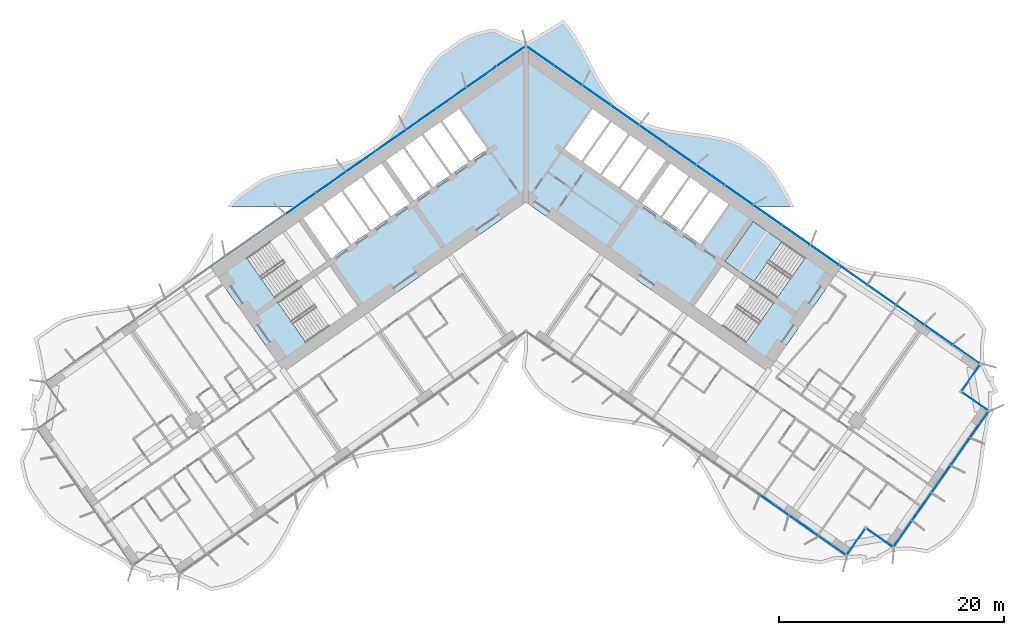
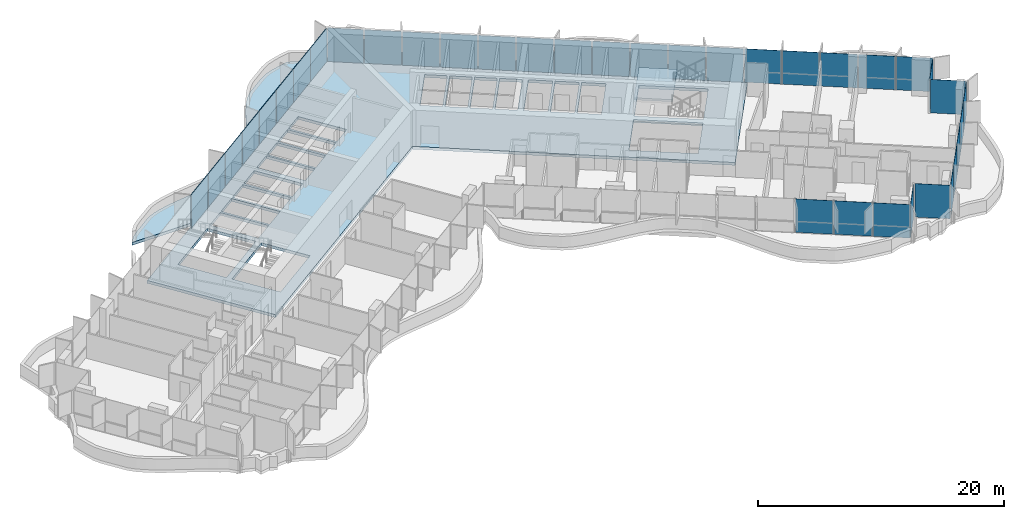
# One storey, part 11 of 24: 36 plates, 3 slabs, 3 elements without a shape of their own.
"""IFC4 building model written with IfcOpenShell, lengths in metres."""

import ifcopenshell
import ifcopenshell.guid

model = None  # the IFC model being written
_history = None  # IfcOwnerHistory: only IFC2X3 demands one
_inside = {}  # id of a spatial element -> (the spatial element, [elements in it])
_under = {}  # id of a project, library or spatial element -> (it, [spatial elements below it])
_declared = {}  # id of a project -> (the project, [libraries it declares])
_typed = {}  # id of a type object -> (the type object, [elements of that type])
_made_of = {}  # id of a material, layer set ... -> (it, [elements and type objects made of it])


def new_model(schema):
    """Start an empty IFC model of exactly this schema.

    Asked for "IFC4X3", IfcOpenShell would pick the latest addendum, in which some entities
    have other attributes; the version numbers below select the first issue.
    IFC2X3 requires an IfcOwnerHistory on every rooted entity: one is made here for all.
    """
    global model, _history
    if schema == "IFC4X3":
        model = ifcopenshell.file(schema_version=(4, 3, 0, 0))
    else:
        model = ifcopenshell.file(schema=schema)
    _inside.clear()
    _under.clear()
    _declared.clear()
    _typed.clear()
    _made_of.clear()
    _history = None
    if model.schema == "IFC2X3":
        org = make("IfcOrganization", Name="unknown")
        user = make(
            "IfcPersonAndOrganization",
            ThePerson=make("IfcPerson", FamilyName="unknown"),
            TheOrganization=org,
        )
        app = make(
            "IfcApplication",
            ApplicationDeveloper=org,
            Version="unknown",
            ApplicationFullName="unknown",
            ApplicationIdentifier="unknown",
        )
        _history = make(
            "IfcOwnerHistory",
            OwningUser=user,
            OwningApplication=app,
            ChangeAction="ADDED",
            CreationDate=0,
        )
    return model


def make(cls, **values):
    """One entity of the class cls with the attributes given. An attribute that is None is left unset."""
    return model.create_entity(
        cls, **{name: value for name, value in values.items() if value is not None}
    )


def rooted(cls, **values):
    """An entity with a GlobalId (a new one), such as an element, a storey or a relation."""
    return make(cls, GlobalId=ifcopenshell.guid.new(), OwnerHistory=_history, **values)


def si_unit(unit_type, name, prefix=None):
    """IfcSIUnit, for example si_unit("LENGTHUNIT", "METRE", prefix="MILLI")."""
    return make("IfcSIUnit", UnitType=unit_type, Prefix=prefix, Name=name)


def assignment(units):
    """IfcUnitAssignment: the units of a project."""
    return None if units is None else make("IfcUnitAssignment", Units=units)


def point(xyz):
    """IfcCartesianPoint."""
    return None if xyz is None else make("IfcCartesianPoint", Coordinates=xyz)


def direction(xyz):
    """IfcDirection."""
    return None if xyz is None else make("IfcDirection", DirectionRatios=xyz)


def frame(location, z_axis=None, x_axis=None):
    """IfcAxis2Placement3D, a coordinate frame: its origin and axes. An axis left out is left unset."""
    return make(
        "IfcAxis2Placement3D",
        Location=point(location),
        Axis=direction(z_axis),
        RefDirection=direction(x_axis),
    )


def frame_2d(location, x_axis=None):
    """IfcAxis2Placement2D, a coordinate frame in the plane: its origin and x axis."""
    return make(
        "IfcAxis2Placement2D", Location=point(location), RefDirection=direction(x_axis)
    )


def origin():
    """The frame at (0, 0, 0) with its axes left unset."""
    return frame((0.0, 0.0, 0.0))


def origin_2d():
    """The frame at (0, 0) in the plane with its x axis left unset."""
    return frame_2d((0.0, 0.0))


def place(relative_to, where):
    """IfcLocalPlacement: puts the frame where relative to a parent placement (None: the world)."""
    return make(
        "IfcLocalPlacement", PlacementRelTo=relative_to, RelativePlacement=where
    )


def context(
    kind, dimensions, precision=None, world=None, true_north=None, identifier=None
):
    """IfcGeometricRepresentationContext, for example the 3D "Model" context."""
    return make(
        "IfcGeometricRepresentationContext",
        ContextIdentifier=identifier,
        ContextType=kind,
        CoordinateSpaceDimension=dimensions,
        Precision=precision,
        WorldCoordinateSystem=world,
        TrueNorth=true_north,
    )


def subcontext(parent, identifier, kind, view, scale=None):
    """IfcGeometricRepresentationSubContext, for example "Body" below "Model"."""
    return make(
        "IfcGeometricRepresentationSubContext",
        ContextIdentifier=identifier,
        ContextType=kind,
        ParentContext=parent,
        TargetScale=scale,
        TargetView=view,
    )


def project(units=None, contexts=None):
    """IfcProject with its units and contexts."""
    return rooted(
        "IfcProject",
        Name="project",
        RepresentationContexts=contexts,
        UnitsInContext=assignment(units),
    )


def spatial(cls, under=None, at=None, **own):
    """A site, building, storey or space (cls), placed at a placement, below another one or the project."""
    s = rooted(cls, ObjectPlacement=at, **own)
    if under is not None:
        _under.setdefault(under.id(), (under, []))[1].append(s)
    return s


def polyline(points):
    """IfcPolyline through the points."""
    return make("IfcPolyline", Points=[point(p) for p in points])


def profile(cls, at=None, kind="AREA", **sizes):
    """A parametric profile (cls). Its sizes go by their IFC names, for example OverallWidth=200.0."""
    return make(cls, ProfileType=kind, Position=at, **sizes)


def rectangle(**sizes):
    """IfcRectangleProfileDef."""
    return profile("IfcRectangleProfileDef", **sizes)


def outline(outer, holes=None, kind="AREA"):
    """IfcArbitraryClosedProfileDef: a profile drawn as a closed curve; with holes, ...WithVoids."""
    if holes is None:
        return make("IfcArbitraryClosedProfileDef", ProfileType=kind, OuterCurve=outer)
    return make(
        "IfcArbitraryProfileDefWithVoids",
        ProfileType=kind,
        OuterCurve=outer,
        InnerCurves=holes,
    )


def extrude(swept, where, along, depth):
    """IfcExtrudedAreaSolid: the profile swept, set in the frame where, extruded along a direction by depth."""
    return make(
        "IfcExtrudedAreaSolid",
        SweptArea=swept,
        Position=where,
        ExtrudedDirection=direction(along),
        Depth=depth,
    )


def shape(context_of_items, identifier, shape_type, items):
    """IfcShapeRepresentation: the items that make up one representation, for example the "Body"."""
    return make(
        "IfcShapeRepresentation",
        ContextOfItems=context_of_items,
        RepresentationIdentifier=identifier,
        RepresentationType=shape_type,
        Items=items,
    )


def material(Name=None, Category=None):
    """IfcMaterial."""
    return make("IfcMaterial", Name=Name, Category=Category)


def layer(
    of_material, thickness, ventilated=None, Name=None, Category=None, Priority=None
):
    """IfcMaterialLayer: one layer of a wall or slab, of a material (None: an air gap)."""
    return make(
        "IfcMaterialLayer",
        Material=of_material,
        LayerThickness=thickness,
        IsVentilated=ventilated,
        Name=Name,
        Category=Category,
        Priority=Priority,
    )


def layer_set(layers, Name=None):
    """IfcMaterialLayerSet."""
    return make("IfcMaterialLayerSet", MaterialLayers=layers, LayerSetName=Name)


def made_of(thing, what):
    """Note that an element or type object is made of a material, layer set ...; save() writes the relation."""
    if what is not None:
        _made_of.setdefault(what.id(), (what, []))[1].append(thing)
    return thing


def type_object(cls, material=None, **own):
    """A type object (cls), such as IfcWallType, which elements share."""
    return made_of(rooted(cls, **own), material)


def element(
    cls,
    number,
    at=None,
    inside=None,
    cuts=None,
    type_object=None,
    material=None,
    context=None,
    identifier="Body",
    shape_type=None,
    held_by="IfcProductDefinitionShape",
    body=None,
    shapes=None,
    **own,
):
    """One element of the class cls, such as IfcWall. Its Tag is "e" and its number.

    at: its placement. inside: the storey or other place that contains it. cuts: it is an
    opening in that element (IfcRelVoidsElement). A single representation is given by context,
    identifier, shape_type and body (its items); several are given by shapes. held_by: the class
    of the entity that holds the representations. save() writes the other relations.
    """
    e = rooted(cls, Tag="e%d" % number, ObjectPlacement=at, **own)
    if body is not None:
        shapes = [shape(context, identifier, shape_type, body)]
    if shapes is not None:
        e.Representation = make(held_by, Representations=shapes)
    if inside is not None:
        _inside.setdefault(inside.id(), (inside, []))[1].append(e)
    if cuts is not None:
        rooted(
            "IfcRelVoidsElement", RelatingBuildingElement=cuts, RelatedOpeningElement=e
        )
    if type_object is not None:
        _typed.setdefault(type_object.id(), (type_object, []))[1].append(e)
    return made_of(e, material)


def aggregate(whole, parts):
    """IfcRelAggregates: a whole, such as a stair, and the parts it consists of."""
    return rooted("IfcRelAggregates", RelatingObject=whole, RelatedObjects=parts)


def save(model, path):
    """Write the relations noted so far, then the file.

    IfcRelAggregates (storeys below a building ...), IfcRelContainedInSpatialStructure (elements
    in a storey), IfcRelDefinesByType, IfcRelAssociatesMaterial and IfcRelDeclares: one each for
    every whole, place, type object, material and project.
    """
    for whole, parts in _under.values():
        aggregate(whole, parts)
    for where, things in _inside.values():
        rooted(
            "IfcRelContainedInSpatialStructure",
            RelatedElements=things,
            RelatingStructure=where,
        )
    for kind, things in _typed.values():
        rooted("IfcRelDefinesByType", RelatedObjects=things, RelatingType=kind)
    for what, things in _made_of.values():
        rooted("IfcRelAssociatesMaterial", RelatedObjects=things, RelatingMaterial=what)
    for by, libraries in _declared.values():
        rooted("IfcRelDeclares", RelatingContext=by, RelatedDefinitions=libraries)
    model.write(path)


model = new_model("IFC4")

# Units and contexts
model_context = context("Model", 3, precision=1e-05, world=origin(), true_north=direction((0.0, 1.0)))
body_context = subcontext(model_context, "Body", "Model", "MODEL_VIEW")
ifc_project = project(units=[si_unit("LENGTHUNIT", "METRE"), si_unit("AREAUNIT", "SQUARE_METRE"), si_unit("VOLUMEUNIT", "CUBIC_METRE"), si_unit("PLANEANGLEUNIT", "RADIAN"), si_unit("MASSUNIT", "GRAM", prefix="KILO")], contexts=[model_context])

# Site, building, storey
site_placement = place(None, origin())
site = spatial("IfcSite", under=ifc_project, at=site_placement, CompositionType="ELEMENT")
building_placement = place(site_placement, origin())
building = spatial("IfcBuilding", under=site, at=building_placement, Name="Tel Ilan Convention Tower", CompositionType="ELEMENT")
storey_placement = place(building_placement, frame((0.0, 0.0, 90.5)))
storey = spatial("IfcBuildingStorey", under=building, at=storey_placement, Name="L18", CompositionType="ELEMENT", Elevation=90.5)

# Curtain wall, plates
ifc_material_1 = material(Name="Aluminium, bronze anodised", Category="aluminium")
curtain_wall_type_1 = type_object("IfcCurtainWallType", Name="CW1 UNITISED CURTAIN WALL, HOTEL TINTED GLASS", PredefinedType="NOTDEFINED", material=ifc_material_1)
curtain_wall_1_placement = place(storey_placement, origin())
curtain_wall_1 = element("IfcCurtainWall", 1, at=curtain_wall_1_placement, inside=storey, type_object=curtain_wall_type_1, Name="Curtain wall CW1-16.02", PredefinedType="NOTDEFINED")
ifc_material_2 = material(Name="Glass, bronze tinted, two-ply unitised", Category="glass")
ifc_layer_1 = layer(ifc_material_2, 0.028076171875)
ifc_layer_set_1 = layer_set([ifc_layer_1], Name="CW HOTEL GLASS PANEL 28")
plate_type_1 = type_object("IfcPlateType", Name="CW HOTEL GLASS PANEL 28", PredefinedType="CURTAIN_PANEL", material=ifc_layer_set_1)
plate_1_placement = place(storey_placement, frame((22.115478515625, -28.181396484375, 0.0), z_axis=(0.0, 0.0, 1.0), x_axis=(0.819152044289, -0.573576436351, 0.0)))
plate_1 = element("IfcPlate", 2, at=plate_1_placement, type_object=plate_type_1, Name="Glass panel", PredefinedType="CURTAIN_PANEL", context=body_context, shape_type="SweptSolid", body=[
    extrude(rectangle(XDim=3.10791015625, YDim=0.028076171875, at=origin_2d()), origin(), (0.0, 0.0, 1.0), 3.320068359375),
])
plate_2_placement = place(storey_placement, frame((24.71044921875, -29.99853515625, 0.0), z_axis=(0.0, 0.0, 1.0), x_axis=(0.819152044289, -0.573576436351, 0.0)))
plate_2 = element("IfcPlate", 3, at=plate_2_placement, type_object=plate_type_1, Name="Glass panel", PredefinedType="CURTAIN_PANEL", context=body_context, shape_type="SweptSolid", body=[
    extrude(rectangle(XDim=3.10791015625, YDim=0.028076171875, at=origin_2d()), origin(), (0.0, 0.0, 1.0), 3.320068359375),
])
plate_3_placement = place(storey_placement, frame((27.26708984375, -31.78857421875, 0.0), z_axis=(0.0, 0.0, 1.0), x_axis=(0.819152044289, -0.573576436351, 0.0)))
plate_3 = element("IfcPlate", 4, at=plate_3_placement, type_object=plate_type_1, Name="Glass panel", PredefinedType="CURTAIN_PANEL", context=body_context, shape_type="SweptSolid", body=[
    extrude(rectangle(XDim=3.013916015625, YDim=0.028076171875, at=origin_2d()), origin(), (0.0, 0.0, 1.0), 3.320068359375),
])
plate_4_placement = place(storey_placement, frame((29.359375, -31.469482421875, 0.0), z_axis=(0.0, 0.0, 1.0), x_axis=(0.573576436351, 0.819152044289, 0.0)))
plate_4 = element("IfcPlate", 5, at=plate_4_placement, type_object=plate_type_1, Name="Glass panel", PredefinedType="CURTAIN_PANEL", context=body_context, shape_type="SweptSolid", body=[
    extrude(rectangle(XDim=2.875, YDim=0.028076171875, at=origin_2d()), origin(), (0.0, 0.0, 1.0), 3.320068359375),
])
plate_5_placement = place(storey_placement, frame((31.502197265625, -31.091796875, 0.0), z_axis=(0.0, 0.0, 1.0), x_axis=(0.819152044289, -0.573576436351, 0.0)))
plate_5 = element("IfcPlate", 6, at=plate_5_placement, type_object=plate_type_1, Name="Glass panel", PredefinedType="CURTAIN_PANEL", context=body_context, shape_type="SweptSolid", body=[
    extrude(rectangle(XDim=2.875, YDim=0.028076171875, at=origin_2d()), origin(), (0.0, 0.0, 1.0), 3.320068359375),
])
plate_6_placement = place(storey_placement, frame((33.529296875, -30.74462890625, 0.0), z_axis=(0.0, 0.0, 1.0), x_axis=(0.573576436351, 0.819152044289, 0.0)))
plate_6 = element("IfcPlate", 7, at=plate_6_placement, type_object=plate_type_1, Name="Glass panel", PredefinedType="CURTAIN_PANEL", context=body_context, shape_type="SweptSolid", body=[
    extrude(rectangle(XDim=2.845947265625, YDim=0.028076171875, at=origin_2d()), origin(), (0.0, 0.0, 1.0), 3.320068359375),
])
plate_7_placement = place(storey_placement, frame((35.22314453125, -28.32568359375, 0.0), z_axis=(0.0, 0.0, 1.0), x_axis=(0.573576436351, 0.819152044289, 0.0)))
plate_7 = element("IfcPlate", 8, at=plate_7_placement, type_object=plate_type_1, Name="Glass panel", PredefinedType="CURTAIN_PANEL", context=body_context, shape_type="SweptSolid", body=[
    extrude(rectangle(XDim=2.93994140625, YDim=0.028076171875, at=origin_2d()), origin(), (0.0, 0.0, 1.0), 3.320068359375),
])
plate_8_placement = place(storey_placement, frame((36.94384765625, -25.868408203125, 0.0), z_axis=(0.0, 0.0, 1.0), x_axis=(0.573576436351, 0.819152044289, 0.0)))
plate_8 = element("IfcPlate", 9, at=plate_8_placement, type_object=plate_type_1, Name="Glass panel", PredefinedType="CURTAIN_PANEL", context=body_context, shape_type="SweptSolid", body=[
    extrude(rectangle(XDim=2.93994140625, YDim=0.028076171875, at=origin_2d()), origin(), (0.0, 0.0, 1.0), 3.320068359375),
])
plate_9_placement = place(storey_placement, frame((38.66455078125, -23.410888671875, 0.0), z_axis=(0.0, 0.0, 1.0), x_axis=(0.573576436351, 0.819152044289, 0.0)))
plate_9 = element("IfcPlate", 10, at=plate_9_placement, type_object=plate_type_1, Name="Glass panel", PredefinedType="CURTAIN_PANEL", context=body_context, shape_type="SweptSolid", body=[
    extrude(rectangle(XDim=2.93994140625, YDim=0.028076171875, at=origin_2d()), origin(), (0.0, 0.0, 1.0), 3.320068359375),
])
plate_10_placement = place(storey_placement, frame((40.358154296875, -20.991943359375, 0.0), z_axis=(0.0, 0.0, 1.0), x_axis=(0.573576436351, 0.819152044289, 0.0)))
plate_10 = element("IfcPlate", 11, at=plate_10_placement, type_object=plate_type_1, Name="Glass panel", PredefinedType="CURTAIN_PANEL", context=body_context, shape_type="SweptSolid", body=[
    extrude(rectangle(XDim=2.845947265625, YDim=0.028076171875, at=origin_2d()), origin(), (0.0, 0.0, 1.0), 3.320068359375),
])
plate_11_placement = place(storey_placement, frame((39.990966796875, -18.96826171875, 0.0), z_axis=(0.0, 0.0, 1.0), x_axis=(-0.819152044289, 0.573576436351, 0.0)))
plate_11 = element("IfcPlate", 12, at=plate_11_placement, type_object=plate_type_1, Name="Glass panel", PredefinedType="CURTAIN_PANEL", context=body_context, shape_type="SweptSolid", body=[
    extrude(rectangle(XDim=2.875, YDim=0.028076171875, at=origin_2d()), origin(), (0.0, 0.0, 1.0), 3.320068359375),
])
plate_12_placement = place(storey_placement, frame((39.61328125, -16.82568359375, 0.0), z_axis=(0.0, 0.0, 1.0), x_axis=(0.573576436351, 0.819152044289, 0.0)))
plate_12 = element("IfcPlate", 13, at=plate_12_placement, type_object=plate_type_1, Name="Glass panel", PredefinedType="CURTAIN_PANEL", context=body_context, shape_type="SweptSolid", body=[
    extrude(rectangle(XDim=2.875, YDim=0.028076171875, at=origin_2d()), origin(), (0.0, 0.0, 1.0), 3.320068359375),
])
plate_13_placement = place(storey_placement, frame((39.2265625, -14.7705078125, 0.0), z_axis=(0.0, 0.0, 1.0), x_axis=(-0.819152044289, 0.573576436351, 0.0)))
plate_13 = element("IfcPlate", 14, at=plate_13_placement, type_object=plate_type_1, Name="Glass panel", PredefinedType="CURTAIN_PANEL", context=body_context, shape_type="SweptSolid", body=[
    extrude(rectangle(XDim=2.943115234375, YDim=0.028076171875, at=origin_2d()), origin(), (0.0, 0.0, 1.0), 3.320068359375),
])
plate_14_placement = place(storey_placement, frame((36.72802734375, -13.021240234375, 0.0), z_axis=(0.0, 0.0, 1.0), x_axis=(-0.819152044289, 0.573576436351, 0.0)))
plate_14 = element("IfcPlate", 15, at=plate_14_placement, type_object=plate_type_1, Name="Glass panel", PredefinedType="CURTAIN_PANEL", context=body_context, shape_type="SweptSolid", body=[
    extrude(rectangle(XDim=3.037109375, YDim=0.028076171875, at=origin_2d()), origin(), (0.0, 0.0, 1.0), 3.320068359375),
])
plate_15_placement = place(storey_placement, frame((34.191162109375, -11.244873046875, 0.0), z_axis=(0.0, 0.0, 1.0), x_axis=(-0.819152044289, 0.573576436351, 0.0)))
plate_15 = element("IfcPlate", 16, at=plate_15_placement, type_object=plate_type_1, Name="Glass panel", PredefinedType="CURTAIN_PANEL", context=body_context, shape_type="SweptSolid", body=[
    extrude(rectangle(XDim=3.037109375, YDim=0.028076171875, at=origin_2d()), origin(), (0.0, 0.0, 1.0), 3.320068359375),
])
plate_16_placement = place(storey_placement, frame((31.654296875, -9.468505859375, 0.0), z_axis=(0.0, 0.0, 1.0), x_axis=(-0.819152044289, 0.573576436351, 0.0)))
plate_16 = element("IfcPlate", 17, at=plate_16_placement, type_object=plate_type_1, Name="Glass panel", PredefinedType="CURTAIN_PANEL", context=body_context, shape_type="SweptSolid", body=[
    extrude(rectangle(XDim=3.037109375, YDim=0.028076171875, at=origin_2d()), origin(), (0.0, 0.0, 1.0), 3.320068359375),
])
plate_17_placement = place(storey_placement, frame((29.1171875, -7.692138671875, 0.0), z_axis=(0.0, 0.0, 1.0), x_axis=(-0.819152044289, 0.573576436351, 0.0)))
plate_17 = element("IfcPlate", 18, at=plate_17_placement, type_object=plate_type_1, Name="Glass panel", PredefinedType="CURTAIN_PANEL", context=body_context, shape_type="SweptSolid", body=[
    extrude(rectangle(XDim=3.037109375, YDim=0.028076171875, at=origin_2d()), origin(), (0.0, 0.0, 1.0), 3.320068359375),
])
aggregate(curtain_wall_1, [plate_1, plate_2, plate_3, plate_4, plate_5, plate_6, plate_7, plate_8, plate_9, plate_10, plate_11, plate_12, plate_13, plate_14, plate_15, plate_16, plate_17])

ifc_material_3 = material(Name="Aluminium, bronze anodised", Category="aluminium")
curtain_wall_type_2 = type_object("IfcCurtainWallType", Name="CW2 STICK CURTAIN WALL, SPANDREL PANELS", PredefinedType="NOTDEFINED", material=ifc_material_3)
curtain_wall_2_placement = place(storey_placement, origin())
curtain_wall_2 = element("IfcCurtainWall", 19, at=curtain_wall_2_placement, inside=storey, type_object=curtain_wall_type_2, Name="Curtain wall CW2-16.01", PredefinedType="NOTDEFINED")
ifc_material_4 = material(Name="Aluminium composite panel, bronze anodised", Category="aluminium")
ifc_layer_2 = layer(ifc_material_4, 0.06005859375)
ifc_layer_set_2 = layer_set([ifc_layer_2], Name="CW SPANDREL PANEL 60")
plate_type_2 = type_object("IfcPlateType", Name="CW SPANDREL PANEL 60", PredefinedType="CURTAIN_PANEL", material=ifc_layer_set_2)
plate_18_placement = place(storey_placement, frame((26.580322265625, -5.915771484375, 0.0), z_axis=(0.0, 0.0, 1.0), x_axis=(-0.819152044289, 0.573576436351, 0.0)))
plate_18 = element("IfcPlate", 20, at=plate_18_placement, type_object=plate_type_2, Name="Spandrel panel", PredefinedType="CURTAIN_PANEL", context=body_context, shape_type="SweptSolid", body=[
    extrude(rectangle(XDim=3.037109375, YDim=0.06005859375, at=origin_2d()), origin(), (0.0, 0.0, 1.0), 3.320068359375),
])
plate_19_placement = place(storey_placement, frame((24.04345703125, -4.139404296875, 0.0), z_axis=(0.0, 0.0, 1.0), x_axis=(-0.819152044289, 0.573576436351, 0.0)))
plate_19 = element("IfcPlate", 21, at=plate_19_placement, type_object=plate_type_2, Name="Spandrel panel", PredefinedType="CURTAIN_PANEL", context=body_context, shape_type="SweptSolid", body=[
    extrude(rectangle(XDim=3.037109375, YDim=0.06005859375, at=origin_2d()), origin(), (0.0, 0.0, 1.0), 3.320068359375),
])
plate_20_placement = place(storey_placement, frame((21.506591796875, -2.363037109375, 0.0), z_axis=(0.0, 0.0, 1.0), x_axis=(-0.819152044289, 0.573576436351, 0.0)))
plate_20 = element("IfcPlate", 22, at=plate_20_placement, type_object=plate_type_2, Name="Spandrel panel", PredefinedType="CURTAIN_PANEL", context=body_context, shape_type="SweptSolid", body=[
    extrude(rectangle(XDim=3.037109375, YDim=0.06005859375, at=origin_2d()), origin(), (0.0, 0.0, 1.0), 3.320068359375),
])
plate_21_placement = place(storey_placement, frame((18.969482421875, -0.586669921875, 0.0), z_axis=(0.0, 0.0, 1.0), x_axis=(-0.819152044289, 0.573576436351, 0.0)))
plate_21 = element("IfcPlate", 23, at=plate_21_placement, type_object=plate_type_2, Name="Spandrel panel", PredefinedType="CURTAIN_PANEL", context=body_context, shape_type="SweptSolid", body=[
    extrude(rectangle(XDim=3.037109375, YDim=0.06005859375, at=origin_2d()), origin(), (0.0, 0.0, 1.0), 3.320068359375),
])
plate_22_placement = place(storey_placement, frame((16.4326171875, 1.189697265625, 0.0), z_axis=(0.0, 0.0, 1.0), x_axis=(-0.819152044289, 0.573576436351, 0.0)))
plate_22 = element("IfcPlate", 24, at=plate_22_placement, type_object=plate_type_2, Name="Spandrel panel", PredefinedType="CURTAIN_PANEL", context=body_context, shape_type="SweptSolid", body=[
    extrude(rectangle(XDim=3.037109375, YDim=0.06005859375, at=origin_2d()), origin(), (0.0, 0.0, 1.0), 3.320068359375),
])
plate_23_placement = place(storey_placement, frame((13.895751953125, 2.966064453125, 0.0), z_axis=(0.0, 0.0, 1.0), x_axis=(-0.819152044289, 0.573576436351, 0.0)))
plate_23 = element("IfcPlate", 25, at=plate_23_placement, type_object=plate_type_2, Name="Spandrel panel", PredefinedType="CURTAIN_PANEL", context=body_context, shape_type="SweptSolid", body=[
    extrude(rectangle(XDim=3.037109375, YDim=0.06005859375, at=origin_2d()), origin(), (0.0, 0.0, 1.0), 3.320068359375),
])
plate_24_placement = place(storey_placement, frame((11.35888671875, 4.742431640625, 0.0), z_axis=(0.0, 0.0, 1.0), x_axis=(-0.819152044289, 0.573576436351, 0.0)))
plate_24 = element("IfcPlate", 26, at=plate_24_placement, type_object=plate_type_2, Name="Spandrel panel", PredefinedType="CURTAIN_PANEL", context=body_context, shape_type="SweptSolid", body=[
    extrude(rectangle(XDim=3.037109375, YDim=0.06005859375, at=origin_2d()), origin(), (0.0, 0.0, 1.0), 3.320068359375),
])
plate_25_placement = place(storey_placement, frame((8.82177734375, 6.518798828125, 0.0), z_axis=(0.0, 0.0, 1.0), x_axis=(-0.819152044289, 0.573576436351, 0.0)))
plate_25 = element("IfcPlate", 27, at=plate_25_placement, type_object=plate_type_2, Name="Spandrel panel", PredefinedType="CURTAIN_PANEL", context=body_context, shape_type="SweptSolid", body=[
    extrude(rectangle(XDim=3.037109375, YDim=0.06005859375, at=origin_2d()), origin(), (0.0, 0.0, 1.0), 3.320068359375),
])
plate_26_placement = place(storey_placement, frame((6.284912109375, 8.295166015625, 0.0), z_axis=(0.0, 0.0, 1.0), x_axis=(-0.819152044289, 0.573576436351, 0.0)))
plate_26 = element("IfcPlate", 28, at=plate_26_placement, type_object=plate_type_2, Name="Spandrel panel", PredefinedType="CURTAIN_PANEL", context=body_context, shape_type="SweptSolid", body=[
    extrude(rectangle(XDim=3.037109375, YDim=0.06005859375, at=origin_2d()), origin(), (0.0, 0.0, 1.0), 3.320068359375),
])
plate_27_placement = place(storey_placement, frame((3.748046875, 10.07177734375, 0.0), z_axis=(0.0, 0.0, 1.0), x_axis=(-0.819152044289, 0.573576436351, 0.0)))
plate_27 = element("IfcPlate", 29, at=plate_27_placement, type_object=plate_type_2, Name="Spandrel panel", PredefinedType="CURTAIN_PANEL", context=body_context, shape_type="SweptSolid", body=[
    extrude(rectangle(XDim=3.037109375, YDim=0.06005859375, at=origin_2d()), origin(), (0.0, 0.0, 1.0), 3.320068359375),
])
plate_28_placement = place(storey_placement, frame((1.256103515625, 11.81640625, 0.0), z_axis=(0.0, 0.0, 1.0), x_axis=(-0.819152044289, 0.573576436351, 0.0)))
plate_28 = element("IfcPlate", 30, at=plate_28_placement, type_object=plate_type_2, Name="Spandrel panel", PredefinedType="CURTAIN_PANEL", context=body_context, shape_type="SweptSolid", body=[
    extrude(rectangle(XDim=2.927001953125, YDim=0.06005859375, at=origin_2d()), origin(), (0.0, 0.0, 1.0), 3.320068359375),
])
plate_29_placement = place(storey_placement, frame((-1.327880859375, 11.766357421875, 0.0), z_axis=(0.0, 0.0, 1.0), x_axis=(-0.819152044289, -0.573576436351, 0.0)))
plate_29 = element("IfcPlate", 31, at=plate_29_placement, type_object=plate_type_2, Name="Spandrel panel", PredefinedType="CURTAIN_PANEL", context=body_context, shape_type="SweptSolid", body=[
    extrude(rectangle(XDim=3.10205078125, YDim=0.06005859375, at=origin_2d()), origin(), (0.0, 0.0, 1.0), 3.320068359375),
])
plate_30_placement = place(storey_placement, frame((-3.963134765625, 9.921142578125, 0.0), z_axis=(0.0, 0.0, 1.0), x_axis=(-0.819152044289, -0.573576436351, 0.0)))
plate_30 = element("IfcPlate", 32, at=plate_30_placement, type_object=plate_type_2, Name="Spandrel panel", PredefinedType="CURTAIN_PANEL", context=body_context, shape_type="SweptSolid", body=[
    extrude(rectangle(XDim=3.2119140625, YDim=0.06005859375, at=origin_2d()), origin(), (0.0, 0.0, 1.0), 3.320068359375),
])
plate_31_placement = place(storey_placement, frame((-6.643310546875, 8.04443359375, 0.0), z_axis=(0.0, 0.0, 1.0), x_axis=(-0.819152044289, -0.573576436351, 0.0)))
plate_31 = element("IfcPlate", 33, at=plate_31_placement, type_object=plate_type_2, Name="Spandrel panel", PredefinedType="CURTAIN_PANEL", context=body_context, shape_type="SweptSolid", body=[
    extrude(rectangle(XDim=3.2119140625, YDim=0.06005859375, at=origin_2d()), origin(), (0.0, 0.0, 1.0), 3.320068359375),
])
plate_32_placement = place(storey_placement, frame((-9.323486328125, 6.16748046875, 0.0), z_axis=(0.0, 0.0, 1.0), x_axis=(-0.819152044289, -0.573576436351, 0.0)))
plate_32 = element("IfcPlate", 34, at=plate_32_placement, type_object=plate_type_2, Name="Spandrel panel", PredefinedType="CURTAIN_PANEL", context=body_context, shape_type="SweptSolid", body=[
    extrude(rectangle(XDim=3.2119140625, YDim=0.06005859375, at=origin_2d()), origin(), (0.0, 0.0, 1.0), 3.320068359375),
])
plate_33_placement = place(storey_placement, frame((-12.00390625, 4.290771484375, 0.0), z_axis=(0.0, 0.0, 1.0), x_axis=(-0.819152044289, -0.573576436351, 0.0)))
plate_33 = element("IfcPlate", 35, at=plate_33_placement, type_object=plate_type_2, Name="Spandrel panel", PredefinedType="CURTAIN_PANEL", context=body_context, shape_type="SweptSolid", body=[
    extrude(rectangle(XDim=3.2119140625, YDim=0.06005859375, at=origin_2d()), origin(), (0.0, 0.0, 1.0), 3.320068359375),
])
plate_34_placement = place(storey_placement, frame((-14.68408203125, 2.4140625, 0.0), z_axis=(0.0, 0.0, 1.0), x_axis=(-0.819152044289, -0.573576436351, 0.0)))
plate_34 = element("IfcPlate", 36, at=plate_34_placement, type_object=plate_type_2, Name="Spandrel panel", PredefinedType="CURTAIN_PANEL", context=body_context, shape_type="SweptSolid", body=[
    extrude(rectangle(XDim=3.2119140625, YDim=0.06005859375, at=origin_2d()), origin(), (0.0, 0.0, 1.0), 3.320068359375),
])
plate_35_placement = place(storey_placement, frame((-17.364501953125, 0.537353515625, 0.0), z_axis=(0.0, 0.0, 1.0), x_axis=(-0.819152044289, -0.573576436351, 0.0)))
plate_35 = element("IfcPlate", 37, at=plate_35_placement, type_object=plate_type_2, Name="Spandrel panel", PredefinedType="CURTAIN_PANEL", context=body_context, shape_type="SweptSolid", body=[
    extrude(rectangle(XDim=3.2119140625, YDim=0.06005859375, at=origin_2d()), origin(), (0.0, 0.0, 1.0), 3.320068359375),
])
plate_36_placement = place(storey_placement, frame((-20.044677734375, -1.33935546875, 0.0), z_axis=(0.0, 0.0, 1.0), x_axis=(-0.819152044289, -0.573576436351, 0.0)))
plate_36 = element("IfcPlate", 38, at=plate_36_placement, type_object=plate_type_2, Name="Spandrel panel", PredefinedType="CURTAIN_PANEL", context=body_context, shape_type="SweptSolid", body=[
    extrude(rectangle(XDim=3.2119140625, YDim=0.06005859375, at=origin_2d()), origin(), (0.0, 0.0, 1.0), 3.320068359375),
])
aggregate(curtain_wall_2, [plate_18, plate_19, plate_20, plate_21, plate_22, plate_23, plate_24, plate_25, plate_26, plate_27, plate_28, plate_29, plate_30, plate_31, plate_32, plate_33, plate_34, plate_35, plate_36])

# Stair, slab
ifc_material_5 = material(Name="Concrete C40/50", Category="concrete")
stair_type = type_object("IfcStairType", Name="Pressurised Exit Stair 20 risers 180 mm", PredefinedType="HALF_TURN_STAIR", material=ifc_material_5)
stair_placement = place(storey_placement, origin())
stair = element("IfcStair", 39, at=stair_placement, inside=storey, type_object=stair_type, Name="L18 Pressurised Stair S3", PredefinedType="HALF_TURN_STAIR")
ifc_material_6 = material(Name="Concrete C40/50", Category="concrete")
ifc_layer_3 = layer(ifc_material_6, 0.199951171875)
ifc_layer_set_3 = layer_set([ifc_layer_3], Name="Concrete Stair Landing 200 mm C40/50")
slab_type_1 = type_object("IfcSlabType", Name="Concrete Stair Landing 200 mm", PredefinedType="LANDING", material=ifc_layer_set_3)
slab_1_placement = place(storey_placement, frame((0.0, 0.0, 1.60009765625)))
slab_1 = element("IfcSlab", 40, at=slab_1_placement, type_object=slab_type_1, Name="S3 landing 1", PredefinedType="LANDING", context=body_context, shape_type="SweptSolid", body=[
    extrude(outline(polyline([(22.791015625, -4.727294921875), (20.226318359375, -2.931640625), (17.7314453125, -6.494873046875), (20.2958984375, -8.29052734375), (22.791015625, -4.727294921875)])), origin(), (0.0, 0.0, 1.0), 0.199951171875),
])
aggregate(stair, [slab_1])

# Slabs
ifc_material_7 = material(Name="Concrete C40/50", Category="concrete")
ifc_layer_4 = layer(ifc_material_7, 0.280029296875)
ifc_layer_set_4 = layer_set([ifc_layer_4], Name="Core Floor Slab 280 mm C40/50")
slab_type_2 = type_object("IfcSlabType", Name="Core Floor Slab 280 mm C40/50", PredefinedType="FLOOR", material=ifc_layer_set_4)
slab_2_placement = place(storey_placement, frame((0.0, 0.0, -0.280029296875)))
element("IfcSlab", 41, at=slab_2_placement, inside=storey, type_object=slab_type_2, Name="L18 core floor 1", PredefinedType="FLOOR", context=body_context, shape_type="SweptSolid", body=[
    extrude(outline(polyline([(-28.1396484375, -6.885498046875), (0.0, 12.818115234375), (28.1396484375, -6.885498046875), (21.54345703125, -16.3056640625), (0.0, -1.220703125), (-21.54345703125, -16.3056640625), (-28.1396484375, -6.885498046875)]), holes=[polyline([(-14.949462890625, -10.4677734375), (-17.444580078125, -6.904541015625), (-22.072021484375, -10.144775390625), (-19.5771484375, -13.7080078125), (-14.949462890625, -10.4677734375)]), polyline([(-17.7314453125, -6.494873046875), (-20.226318359375, -2.931640625), (-24.85400390625, -6.171875), (-22.35888671875, -9.735107421875), (-17.7314453125, -6.494873046875)]), polyline([(-18.198974609375, -1.511962890625), (-19.81689453125, -2.644775390625), (-17.32177734375, -6.2080078125), (-15.7041015625, -5.0751953125), (-18.198974609375, -1.511962890625)]), polyline([(-16.41748046875, -0.264404296875), (-18.03515625, -1.397216796875), (-15.5400390625, -4.960693359375), (-13.92236328125, -3.827880859375), (-16.41748046875, -0.264404296875)]), polyline([(-14.6357421875, 0.983154296875), (-16.25341796875, -0.149658203125), (-13.758544921875, -3.712890625), (-12.140625, -2.580078125), (-14.6357421875, 0.983154296875)]), polyline([(-12.85400390625, 2.230712890625), (-14.471923828125, 1.097900390625), (-11.976806640625, -2.465576171875), (-10.35888671875, -1.332763671875), (-12.85400390625, 2.230712890625)]), polyline([(-10.939208984375, 3.5712890625), (-12.444580078125, 2.517333984375), (-9.949462890625, -1.0458984375), (-8.444091796875, 0.008056640625), (-10.939208984375, 3.5712890625)]), polyline([(-6.775146484375, 1.1767578125), (-9.270263671875, 4.739990234375), (-10.775390625, 3.68603515625), (-8.280517578125, 0.122802734375), (-6.775146484375, 1.1767578125)]), polyline([(-5.106201171875, 2.345458984375), (-7.601318359375, 5.90869140625), (-9.1064453125, 4.854736328125), (-6.611328125, 1.29150390625), (-5.106201171875, 2.345458984375)]), polyline([(-5.93212890625, 7.077392578125), (-7.4375, 6.0234375), (-4.9423828125, 2.460205078125), (-3.437255859375, 3.513916015625), (-5.93212890625, 7.077392578125)]), polyline([(17.444580078125, -6.904541015625), (14.949462890625, -10.4677734375), (19.5771484375, -13.7080078125), (22.072021484375, -10.144775390625), (17.444580078125, -6.904541015625)]), polyline([(20.226318359375, -2.931640625), (17.7314453125, -6.494873046875), (22.35888671875, -9.735107421875), (24.85400390625, -6.171875), (20.226318359375, -2.931640625)]), polyline([(13.92236328125, -3.827880859375), (15.5400390625, -4.960693359375), (18.03515625, -1.397216796875), (16.41748046875, -0.264404296875), (13.92236328125, -3.827880859375)]), polyline([(12.140625, -2.580078125), (13.758544921875, -3.712890625), (16.25341796875, -0.149658203125), (14.6357421875, 0.983154296875), (12.140625, -2.580078125)]), polyline([(11.976806640625, -2.465576171875), (14.471923828125, 1.097900390625), (12.85400390625, 2.230712890625), (10.35888671875, -1.332763671875), (11.976806640625, -2.465576171875)]), polyline([(9.949462890625, -1.0458984375), (12.444580078125, 2.517333984375), (10.939208984375, 3.5712890625), (8.444091796875, 0.008056640625), (9.949462890625, -1.0458984375)]), polyline([(8.280517578125, 0.122802734375), (10.775390625, 3.68603515625), (9.270263671875, 4.739990234375), (6.775146484375, 1.1767578125), (8.280517578125, 0.122802734375)]), polyline([(5.106201171875, 2.345458984375), (6.611328125, 1.29150390625), (9.1064453125, 4.854736328125), (7.601318359375, 5.90869140625), (5.106201171875, 2.345458984375)]), polyline([(3.437255859375, 3.513916015625), (4.9423828125, 2.460205078125), (7.4375, 6.0234375), (5.93212890625, 7.077392578125), (3.437255859375, 3.513916015625)])]), origin(), (0.0, 0.0, 1.0), 0.280029296875),
])
ifc_material_8 = material(Name="Concrete C40/50", Category="concrete")
ifc_layer_5 = layer(ifc_material_8, 0.280029296875)
ifc_layer_set_5 = layer_set([ifc_layer_5], Name="Edge Ledge Slab 280 mm C40/50")
slab_type_3 = type_object("IfcSlabType", Name="Edge Ledge Slab 280 mm C40/50", PredefinedType="FLOOR", material=ifc_layer_set_5)
slab_3_placement = place(storey_placement, frame((0.0, 0.0, -0.280029296875)))
element("IfcSlab", 42, at=slab_3_placement, inside=storey, type_object=slab_type_3, Name="L18 edge ledge 2", PredefinedType="FLOOR", context=body_context, shape_type="SweptSolid", body=[
    extrude(outline(polyline([(-23.564453125, 0.8349609375), (-22.857421875, 1.129150390625), (-22.099365234375, 1.350341796875), (-21.307861328125, 1.52392578125), (-20.490966796875, 1.661376953125), (-19.658203125, 1.77587890625), (-18.8193359375, 1.881591796875), (-17.98486328125, 1.993896484375), (-17.16455078125, 2.12646484375), (-16.368408203125, 2.29296875), (-15.60400390625, 2.50537109375), (-14.87890625, 2.773681640625), (-14.2626953125, 3.197509765625), (-13.037353515625, 4.055419921875), (-12.43994140625, 4.506103515625), (-11.945068359375, 5.103271484375), (-11.48828125, 5.755126953125), (-11.06298828125, 6.451416015625), (-10.66015625, 7.179931640625), (-10.2705078125, 7.927490234375), (-9.8837890625, 8.67919921875), (-9.489990234375, 9.42041015625), (-9.078857421875, 10.13720703125), (-8.641357421875, 10.81640625), (-8.169677734375, 11.446533203125), (-7.635986328125, 11.98828125), (-5.798095703125, 13.275146484375), (-5.14013671875, 13.639404296875), (-4.39794921875, 13.88330078125), (-3.619384765625, 14.075439453125), (-2.81201171875, 14.226318359375), (-1.382080078125, 13.48828125), (-0.172119140625, 13.06396484375), (-0.168701171875, 13.05908203125), (-0.11474609375, 13.09521484375), (0.0, 13.1181640625), (0.11474609375, 13.09521484375), (0.168701171875, 13.05908203125), (0.172119140625, 13.06396484375), (1.732666015625, 14.003173828125), (3.331787109375, 14.997802734375), (3.8291015625, 14.418212890625), (4.28662109375, 13.7822265625), (4.71240234375, 13.100830078125), (5.1142578125, 12.385498046875), (5.50146484375, 11.64892578125), (5.883544921875, 10.9052734375), (6.2705078125, 10.168701171875), (6.672119140625, 9.452880859375), (7.09765625, 8.770751953125), (7.5546875, 8.134033203125), (8.050048828125, 7.55224609375), (8.65380859375, 7.125), (9.865478515625, 6.276611328125), (10.483642578125, 5.8701171875), (11.20458984375, 5.610107421875), (11.963134765625, 5.404052734375), (12.75244140625, 5.241943359375), (13.564697265625, 5.1123046875), (14.390380859375, 5.002197265625), (15.2197265625, 4.8974609375), (16.043212890625, 4.78369140625), (16.8505859375, 4.647705078125), (17.63330078125, 4.47607421875), (18.38330078125, 4.2578125), (19.08544921875, 3.97119140625), (20.903076171875, 2.698486328125), (21.484130859375, 2.239013671875), (21.9697265625, 1.643310546875), (22.418701171875, 0.99462890625), (22.83740234375, 0.3037109375), (23.23486328125, -0.41845703125), (23.619873046875, -1.158203125), (23.86328125, -1.631591796875), (20.63623046875, -1.631591796875), (0.0, 12.818115234375), (-20.63623046875, -1.631591796875), (-26.5380859375, -1.631591796875), (-26.470947265625, -1.533447265625), (-25.98291015625, -0.9267578125), (-25.40234375, -0.451904296875), (-23.564453125, 0.8349609375)])), origin(), (0.0, 0.0, 1.0), 0.280029296875),
])

save(model, "model.ifc")
